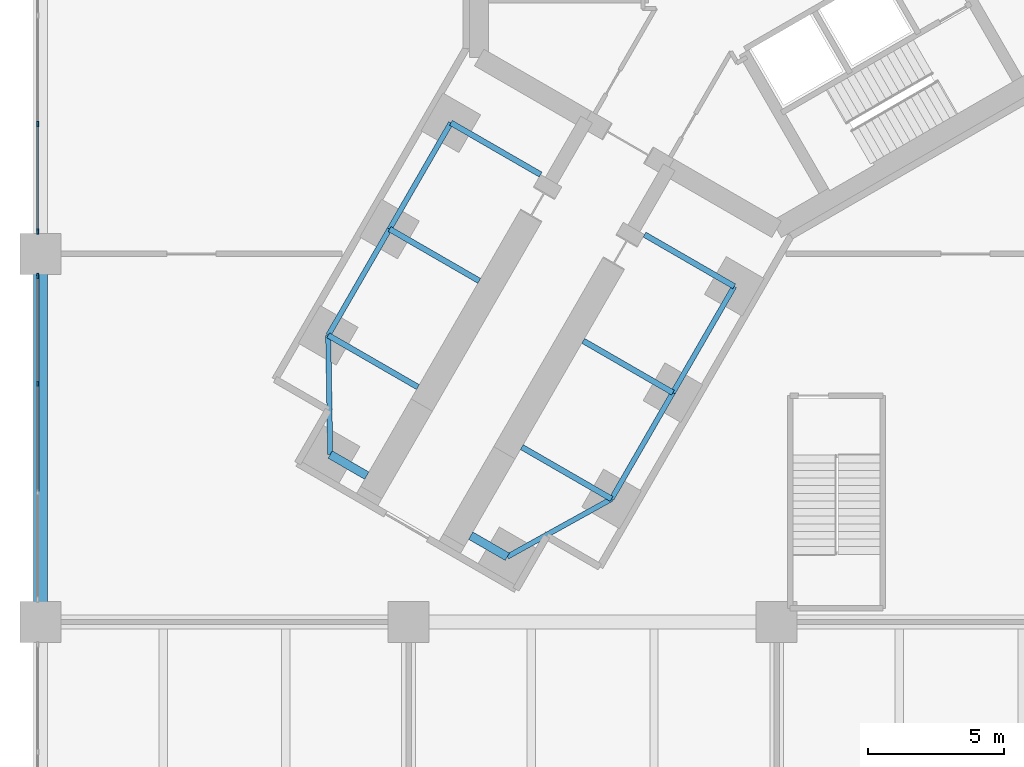
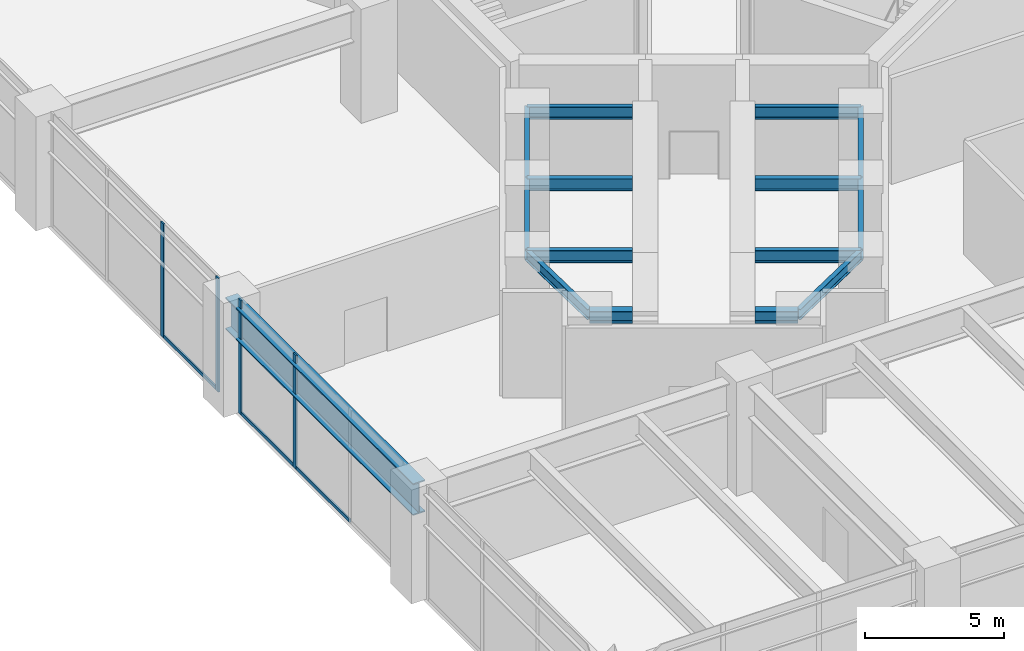
# One storey, part 3 of 31: 15 beams, 7 members, 2 elements without a shape of their own.
"""IFC4 building model written with IfcOpenShell, lengths in metres."""

from ifc_helpers import new_model, si_unit, direction, frame, origin, origin_2d, place, context, subcontext, project, spatial, rectangle, i_section, extrude, material, material_profile, profile_set, type_object, element, aggregate, save


model = new_model("IFC4")

# Units and contexts
model_context = context("Model", 3, precision=1e-05, world=origin(), true_north=direction((0.0, 1.0)))
body_context = subcontext(model_context, "Body", "Model", "MODEL_VIEW")
ifc_project = project(units=[si_unit("LENGTHUNIT", "METRE"), si_unit("AREAUNIT", "SQUARE_METRE"), si_unit("VOLUMEUNIT", "CUBIC_METRE"), si_unit("PLANEANGLEUNIT", "RADIAN"), si_unit("MASSUNIT", "GRAM", prefix="KILO")], contexts=[model_context])

# Site, building, storey
site_placement = place(None, origin())
site = spatial("IfcSite", under=ifc_project, at=site_placement, CompositionType="ELEMENT")
building_placement = place(site_placement, origin())
building = spatial("IfcBuilding", under=site, at=building_placement, Name="Upepo Twin Towers", CompositionType="ELEMENT")
storey_placement = place(building_placement, frame((0.0, 0.0, 15.5)))
storey = spatial("IfcBuildingStorey", under=building, at=storey_placement, Name="L03", CompositionType="ELEMENT", Elevation=15.5)

# Beams
ifc_material_1 = material(Name="Steel S355", Category="steel")
ifc_material_profile_1 = material_profile(ifc_material_1, i_section(OverallWidth=0.5, OverallDepth=1.39990234375, WebThickness=0.02490234375, FlangeThickness=0.050048828125, FilletRadius=0.008056640625, at=origin_2d()), Name="PG 1400x500x25x50")
ifc_profile_set_1 = profile_set([ifc_material_profile_1], Name="Steel S355")
beam_type_1 = type_object("IfcBeamType", Name="Beam PG 1400x500x25x50", PredefinedType="BEAM", material=ifc_profile_set_1)
beam_1_placement = place(storey_placement, frame((-27.0, -27.0, 3.949951171875), z_axis=(0.0, 1.0, 0.0), x_axis=(-1.0, 0.0, 0.0)))
element("IfcBeam", 1, at=beam_1_placement, inside=storey, type_object=beam_type_1, Name="Podium girder 1/B-C", PredefinedType="BEAM", context=body_context, shape_type="SweptSolid", body=[
    extrude(i_section(OverallWidth=0.5, OverallDepth=1.39990234375, WebThickness=0.02490234375, FlangeThickness=0.050048828125, FilletRadius=0.008056640625, at=origin_2d()), origin(), (0.0, 0.0, 1.0), 13.5),
])
ifc_material_2 = material(Name="Steel S355", Category="steel")
ifc_material_profile_2 = material_profile(ifc_material_2, i_section(OverallWidth=0.1904296875, OverallDepth=0.45703125, WebThickness=0.009033203125, FlangeThickness=0.014404296875, FilletRadius=0.01025390625, at=origin_2d()), Name="UB 457x191x74")
ifc_profile_set_2 = profile_set([ifc_material_profile_2], Name="Steel S355")
beam_type_2 = type_object("IfcBeamType", Name="Beam UB 457x191x74", PredefinedType="BEAM", material=ifc_profile_set_2)
beam_2_placement = place(storey_placement, frame((-1.553955078125, -14.69140625, 4.571533203125), z_axis=(-0.500013631625, -0.866017533419, 0.0), x_axis=(0.866017533419, -0.500013631625, 0.0)))
element("IfcBeam", 2, at=beam_2_placement, inside=storey, type_object=beam_type_2, Name="T1 edge beam CL 13.5-18.0", PredefinedType="BEAM", context=body_context, shape_type="SweptSolid", body=[
    extrude(i_section(OverallWidth=0.1904296875, OverallDepth=0.45703125, WebThickness=0.009033203125, FlangeThickness=0.014404296875, FilletRadius=0.01025390625, at=origin_2d()), origin(), (0.0, 0.0, 1.0), 4.499755859375),
])
beam_3_placement = place(storey_placement, frame((-3.803955078125, -18.58837890625, 4.571533203125), z_axis=(-0.499990139034, -0.866031096941, 0.0), x_axis=(0.866031096941, -0.499990139034, 0.0)))
element("IfcBeam", 3, at=beam_3_placement, inside=storey, type_object=beam_type_2, Name="T1 edge beam CL 18.0-22.5", PredefinedType="BEAM", context=body_context, shape_type="SweptSolid", body=[
    extrude(i_section(OverallWidth=0.1904296875, OverallDepth=0.45703125, WebThickness=0.009033203125, FlangeThickness=0.014404296875, FilletRadius=0.01025390625, at=origin_2d()), origin(), (0.0, 0.0, 1.0), 4.5),
])
beam_4_placement = place(storey_placement, frame((-6.053955078125, -22.485595703125, 4.571533203125), z_axis=(-0.874312600038, -0.485363242752, 0.0), x_axis=(0.485363242752, -0.874312600038, 0.0)))
element("IfcBeam", 4, at=beam_4_placement, inside=storey, type_object=beam_type_2, Name="T1 nose edge beam CL", PredefinedType="BEAM", context=body_context, shape_type="SweptSolid", body=[
    extrude(i_section(OverallWidth=0.1904296875, OverallDepth=0.45703125, WebThickness=0.009033203125, FlangeThickness=0.014404296875, FilletRadius=0.01025390625, at=origin_2d()), origin(), (0.0, 0.0, 1.0), 4.373046875),
])
beam_5_placement = place(storey_placement, frame((-11.946044921875, -8.69140625, 4.571533203125), z_axis=(-0.500013631625, -0.866017533419, 0.0), x_axis=(0.866017533419, -0.500013631625, 0.0)))
element("IfcBeam", 5, at=beam_5_placement, inside=storey, type_object=beam_type_2, Name="T1 edge beam CR 13.5-18.0", PredefinedType="BEAM", context=body_context, shape_type="SweptSolid", body=[
    extrude(i_section(OverallWidth=0.1904296875, OverallDepth=0.45703125, WebThickness=0.009033203125, FlangeThickness=0.014404296875, FilletRadius=0.01025390625, at=origin_2d()), origin(), (0.0, 0.0, 1.0), 4.499755859375),
])
beam_6_placement = place(storey_placement, frame((-14.196044921875, -12.58837890625, 4.571533203125), z_axis=(-0.499990139034, -0.866031096941, 0.0), x_axis=(0.866031096941, -0.499990139034, 0.0)))
element("IfcBeam", 6, at=beam_6_placement, inside=storey, type_object=beam_type_2, Name="T1 edge beam CR 18.0-22.5", PredefinedType="BEAM", context=body_context, shape_type="SweptSolid", body=[
    extrude(i_section(OverallWidth=0.1904296875, OverallDepth=0.45703125, WebThickness=0.009033203125, FlangeThickness=0.014404296875, FilletRadius=0.01025390625, at=origin_2d()), origin(), (0.0, 0.0, 1.0), 4.5),
])
beam_7_placement = place(storey_placement, frame((-16.446044921875, -16.485595703125, 4.571533203125), z_axis=(0.016803880528, -0.999858804832, 0.0), x_axis=(0.999858804832, 0.016803880528, 0.0)))
element("IfcBeam", 7, at=beam_7_placement, inside=storey, type_object=beam_type_2, Name="T1 nose edge beam CR", PredefinedType="BEAM", context=body_context, shape_type="SweptSolid", body=[
    extrude(i_section(OverallWidth=0.1904296875, OverallDepth=0.45703125, WebThickness=0.009033203125, FlangeThickness=0.014404296875, FilletRadius=0.01025390625, at=origin_2d()), origin(), (0.0, 0.0, 1.0), 4.373291015625),
])
ifc_material_3 = material(Name="Steel S355", Category="steel")
ifc_material_profile_3 = material_profile(ifc_material_3, i_section(OverallWidth=0.209228515625, OverallDepth=0.533203125, WebThickness=0.010009765625, FlangeThickness=0.015625, FilletRadius=0.0126953125, at=origin_2d()), Name="UB 533x210x92")
ifc_profile_set_3 = profile_set([ifc_material_profile_3], Name="Steel S355")
beam_type_3 = type_object("IfcBeamType", Name="Beam UB 533x210x92", PredefinedType="BEAM", material=ifc_profile_set_3)
beam_8_placement = place(storey_placement, frame((-1.553955078125, -14.69140625, 4.533447265625), z_axis=(-0.866000483506, 0.500043160704, 0.0), x_axis=(-0.500043160704, -0.866000483506, 0.0)))
element("IfcBeam", 8, at=beam_8_placement, inside=storey, type_object=beam_type_3, Name="T1 girder CL at 13.5", PredefinedType="BEAM", context=body_context, shape_type="SweptSolid", body=[
    extrude(i_section(OverallWidth=0.209228515625, OverallDepth=0.533203125, WebThickness=0.010009765625, FlangeThickness=0.015625, FilletRadius=0.0126953125, at=origin_2d()), origin(), (0.0, 0.0, 1.0), 3.800048828125),
])
for number, where, z_axis, x_axis, name in (
    (9, (-3.803955078125, -18.58837890625, 4.533447265625), (-0.866028304915, 0.499994975061, 0.0), (-0.499994975061, -0.866028304915, 0.0), "T1 girder CL at 18.0"),
    (10, (-6.053955078125, -22.485595703125, 4.533447265625), (-0.866028304915, 0.499994975061, 0.0), (-0.499994975061, -0.866028304915, 0.0), "T1 girder CL at 22.5"),
    (11, (-11.946044921875, -8.69140625, 4.533447265625), (0.866028304915, -0.499994975061, 0.0), (0.499994975061, 0.866028304915, 0.0), "T1 girder CR at 13.5"),
):
    element("IfcBeam", number, at=place(storey_placement, frame(where, z_axis=z_axis, x_axis=x_axis)), inside=storey, type_object=beam_type_3, Name=name, PredefinedType="BEAM", context=body_context, shape_type="SweptSolid", body=[
        extrude(i_section(OverallWidth=0.209228515625, OverallDepth=0.533203125, WebThickness=0.010009765625, FlangeThickness=0.015625, FilletRadius=0.0126953125, at=origin_2d()), origin(), (0.0, 0.0, 1.0), 3.7998046875),
    ])
beam_9_placement = place(storey_placement, frame((-14.196044921875, -12.58837890625, 4.533447265625), z_axis=(0.866000483506, -0.500043160704, 0.0), x_axis=(0.500043160704, 0.866000483506, 0.0)))
element("IfcBeam", 12, at=beam_9_placement, inside=storey, type_object=beam_type_3, Name="T1 girder CR at 18.0", PredefinedType="BEAM", context=body_context, shape_type="SweptSolid", body=[
    extrude(i_section(OverallWidth=0.209228515625, OverallDepth=0.533203125, WebThickness=0.010009765625, FlangeThickness=0.015625, FilletRadius=0.0126953125, at=origin_2d()), origin(), (0.0, 0.0, 1.0), 3.800048828125),
])
beam_10_placement = place(storey_placement, frame((-16.446044921875, -16.485595703125, 4.533447265625), z_axis=(0.866028304915, -0.499994975061, 0.0), x_axis=(0.499994975061, 0.866028304915, 0.0)))
element("IfcBeam", 13, at=beam_10_placement, inside=storey, type_object=beam_type_3, Name="T1 girder CR at 22.5", PredefinedType="BEAM", context=body_context, shape_type="SweptSolid", body=[
    extrude(i_section(OverallWidth=0.209228515625, OverallDepth=0.533203125, WebThickness=0.010009765625, FlangeThickness=0.015625, FilletRadius=0.0126953125, at=origin_2d()), origin(), (0.0, 0.0, 1.0), 3.7998046875),
])
ifc_material_4 = material(Name="Steel S355", Category="steel")
ifc_material_profile_4 = material_profile(ifc_material_4, i_section(OverallWidth=0.31201171875, OverallDepth=0.54345703125, WebThickness=0.0126953125, FlangeThickness=0.020263671875, FilletRadius=0.0126953125, at=origin_2d()), Name="UB 533x312x150")
ifc_profile_set_4 = profile_set([ifc_material_profile_4], Name="Steel S355")
beam_type_4 = type_object("IfcBeamType", Name="Beam UB 533x312x150", PredefinedType="BEAM", material=ifc_profile_set_4)
for number, where, z_axis, x_axis, name in (
    (14, (-9.87744140625, -24.608154296875, 4.5283203125), (-0.866043940782, 0.499967891604, 0.0), (-0.499967891604, -0.866043940782, 0.0), "T1 nose beam CL"),
    (15, (-16.37255859375, -20.858154296875, 4.5283203125), (0.866043940782, -0.499967891604, 0.0), (0.499967891604, 0.866043940782, 0.0), "T1 nose beam CR"),
):
    element("IfcBeam", number, at=place(storey_placement, frame(where, z_axis=z_axis, x_axis=x_axis)), inside=storey, type_object=beam_type_4, Name=name, PredefinedType="BEAM", context=body_context, shape_type="SweptSolid", body=[
        extrude(i_section(OverallWidth=0.31201171875, OverallDepth=0.54345703125, WebThickness=0.0126953125, FlangeThickness=0.020263671875, FilletRadius=0.0126953125, at=origin_2d()), origin(), (0.0, 0.0, 1.0), 1.5498046875),
    ])

# Curtain wall, members
ifc_material_5 = material(Name="Aluminium and clear glass", Category="aluminium")
curtain_wall_type = type_object("IfcCurtainWallType", Name="Podium curtain wall PW1", PredefinedType="NOTDEFINED", material=ifc_material_5)
curtain_wall_1_placement = place(storey_placement, origin())
curtain_wall_1 = element("IfcCurtainWall", 16, at=curtain_wall_1_placement, inside=storey, type_object=curtain_wall_type, Name="Podium L03 curtain wall W4", PredefinedType="NOTDEFINED")
ifc_material_6 = material(Name="Aluminium mullion", Category="aluminium")
ifc_material_profile_5 = material_profile(ifc_material_6, rectangle(XDim=0.06494140625, YDim=0.199951171875, at=origin_2d()), Name="MULLION 65x200 PODIUM")
ifc_profile_set_5 = profile_set([ifc_material_profile_5], Name="Aluminium mullion")
member_type_1 = type_object("IfcMemberType", Name="Mullion 65x200 PW1", PredefinedType="MULLION", material=ifc_profile_set_5)
member_1_placement = place(storey_placement, frame((-27.10009765625, -8.73828125, 0.0), z_axis=(0.0, 0.0, 1.0), x_axis=(1.0, 0.0, 0.0)))
member_1 = element("IfcMember", 17, at=member_1_placement, type_object=member_type_1, Name="Podium L03 curtain wall W4 mullion 3", PredefinedType="MULLION", context=body_context, shape_type="SweptSolid", body=[
    extrude(rectangle(XDim=0.06494140625, YDim=0.199951171875, at=origin_2d()), origin(), (0.0, 0.0, 1.0), 5.0),
])
member_2_placement = place(storey_placement, frame((-27.10009765625, -12.6826171875, 0.0), z_axis=(0.0, 0.0, 1.0), x_axis=(1.0, 0.0, 0.0)))
member_2 = element("IfcMember", 18, at=member_2_placement, type_object=member_type_1, Name="Podium L03 curtain wall W4 mullion 4", PredefinedType="MULLION", context=body_context, shape_type="SweptSolid", body=[
    extrude(rectangle(XDim=0.06494140625, YDim=0.199951171875, at=origin_2d()), origin(), (0.0, 0.0, 1.0), 5.0),
])

curtain_wall_2_placement = place(storey_placement, origin())
curtain_wall_2 = element("IfcCurtainWall", 19, at=curtain_wall_2_placement, inside=storey, type_object=curtain_wall_type, Name="Podium L03 curtain wall W5", PredefinedType="NOTDEFINED")
member_3_placement = place(storey_placement, frame((-27.10009765625, -14.3173828125, 0.0), z_axis=(0.0, 0.0, 1.0), x_axis=(1.0, 0.0, 0.0)))
member_3 = element("IfcMember", 20, at=member_3_placement, type_object=member_type_1, Name="Podium L03 curtain wall W5 mullion 1", PredefinedType="MULLION", context=body_context, shape_type="SweptSolid", body=[
    extrude(rectangle(XDim=0.06494140625, YDim=0.199951171875, at=origin_2d()), origin(), (0.0, 0.0, 1.0), 5.0),
])
member_4_placement = place(storey_placement, frame((-27.10009765625, -18.26171875, 0.0), z_axis=(0.0, 0.0, 1.0), x_axis=(1.0, 0.0, 0.0)))
member_4 = element("IfcMember", 21, at=member_4_placement, type_object=member_type_1, Name="Podium L03 curtain wall W5 mullion 2", PredefinedType="MULLION", context=body_context, shape_type="SweptSolid", body=[
    extrude(rectangle(XDim=0.06494140625, YDim=0.199951171875, at=origin_2d()), origin(), (0.0, 0.0, 1.0), 5.0),
])

# Member
ifc_material_7 = material(Name="Aluminium transom", Category="aluminium")
ifc_material_profile_6 = material_profile(ifc_material_7, rectangle(XDim=0.06494140625, YDim=0.14990234375, at=origin_2d()), Name="TRANSOM 65x150 PODIUM")
ifc_profile_set_6 = profile_set([ifc_material_profile_6], Name="Aluminium transom")
member_type_2 = type_object("IfcMemberType", Name="Transom 65x150 PW1", PredefinedType="USERDEFINED", material=ifc_profile_set_6)
member_5_placement = place(storey_placement, frame((-27.10009765625, -8.770751953125, 0.074951171875), z_axis=(0.0, -1.0, 0.0), x_axis=(1.0, 0.0, 0.0)))
member_5 = element("IfcMember", 22, at=member_5_placement, type_object=member_type_2, Name="Podium L03 curtain wall W4 transom 3", ObjectType="TRANSOM", PredefinedType="USERDEFINED", context=body_context, shape_type="SweptSolid", body=[
    extrude(rectangle(XDim=0.06494140625, YDim=0.14990234375, at=origin_2d()), origin(), (0.0, 0.0, 1.0), 3.879150390625),
])

aggregate(curtain_wall_1, [member_1, member_2, member_5])

member_6_placement = place(storey_placement, frame((-27.10009765625, -14.35009765625, 0.074951171875), z_axis=(0.0, -1.0, 0.0), x_axis=(1.0, 0.0, 0.0)))
member_6 = element("IfcMember", 23, at=member_6_placement, type_object=member_type_2, Name="Podium L03 curtain wall W5 transom 1", ObjectType="TRANSOM", PredefinedType="USERDEFINED", context=body_context, shape_type="SweptSolid", body=[
    extrude(rectangle(XDim=0.06494140625, YDim=0.14990234375, at=origin_2d()), origin(), (0.0, 0.0, 1.0), 3.879150390625),
])

member_7_placement = place(storey_placement, frame((-27.10009765625, -18.294189453125, 0.074951171875), z_axis=(0.0, -1.0, 0.0), x_axis=(1.0, 0.0, 0.0)))
member_7 = element("IfcMember", 24, at=member_7_placement, type_object=member_type_2, Name="Podium L03 curtain wall W5 transom 2", ObjectType="TRANSOM", PredefinedType="USERDEFINED", context=body_context, shape_type="SweptSolid", body=[
    extrude(rectangle(XDim=0.06494140625, YDim=0.14990234375, at=origin_2d()), origin(), (0.0, 0.0, 1.0), 3.91162109375),
])

aggregate(curtain_wall_2, [member_3, member_4, member_6, member_7])

save(model, "model.ifc")
